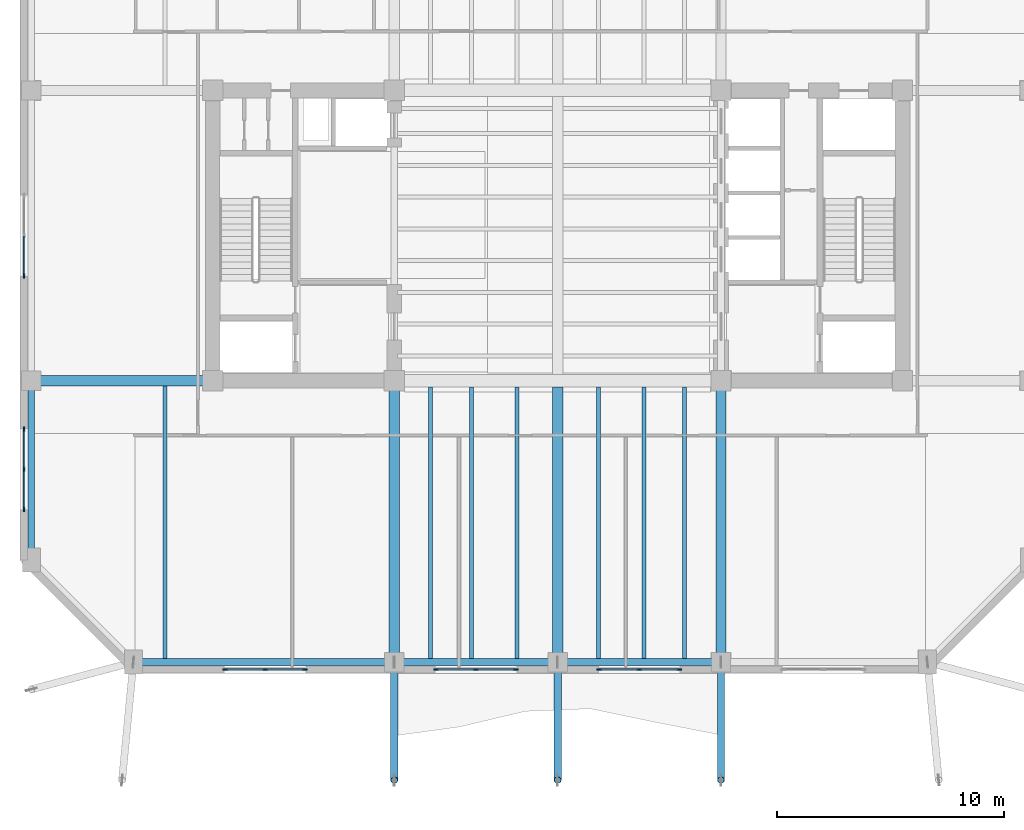
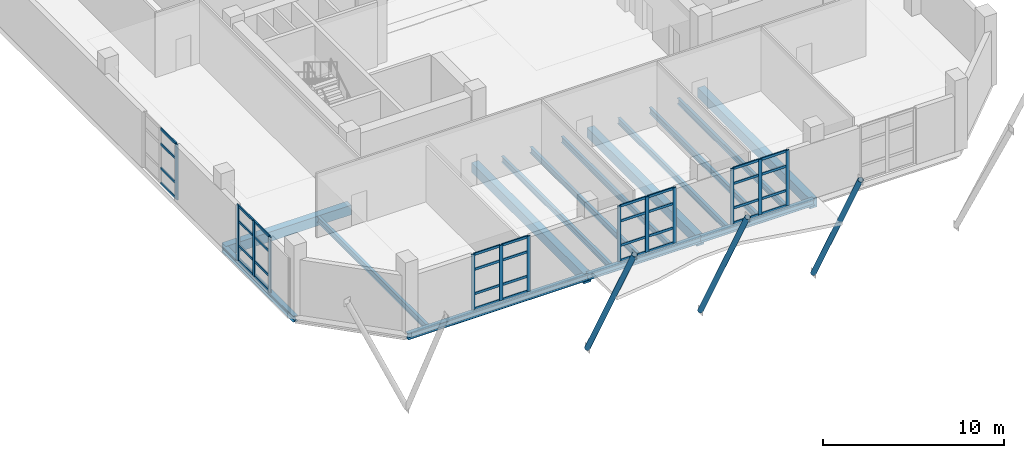
# One storey, part 2 of 15: 52 members, 15 beams, 5 elements without a shape of their own.
"""IFC4 building model written with IfcOpenShell, lengths in metres."""

import ifcopenshell
import ifcopenshell.guid

model = None  # the IFC model being written
_history = None  # IfcOwnerHistory: only IFC2X3 demands one
_inside = {}  # id of a spatial element -> (the spatial element, [elements in it])
_under = {}  # id of a project, library or spatial element -> (it, [spatial elements below it])
_declared = {}  # id of a project -> (the project, [libraries it declares])
_typed = {}  # id of a type object -> (the type object, [elements of that type])
_made_of = {}  # id of a material, layer set ... -> (it, [elements and type objects made of it])


def new_model(schema):
    """Start an empty IFC model of exactly this schema.

    Asked for "IFC4X3", IfcOpenShell would pick the latest addendum, in which some entities
    have other attributes; the version numbers below select the first issue.
    IFC2X3 requires an IfcOwnerHistory on every rooted entity: one is made here for all.
    """
    global model, _history
    if schema == "IFC4X3":
        model = ifcopenshell.file(schema_version=(4, 3, 0, 0))
    else:
        model = ifcopenshell.file(schema=schema)
    _inside.clear()
    _under.clear()
    _declared.clear()
    _typed.clear()
    _made_of.clear()
    _history = None
    if model.schema == "IFC2X3":
        org = make("IfcOrganization", Name="unknown")
        user = make(
            "IfcPersonAndOrganization",
            ThePerson=make("IfcPerson", FamilyName="unknown"),
            TheOrganization=org,
        )
        app = make(
            "IfcApplication",
            ApplicationDeveloper=org,
            Version="unknown",
            ApplicationFullName="unknown",
            ApplicationIdentifier="unknown",
        )
        _history = make(
            "IfcOwnerHistory",
            OwningUser=user,
            OwningApplication=app,
            ChangeAction="ADDED",
            CreationDate=0,
        )
    return model


def make(cls, **values):
    """One entity of the class cls with the attributes given. An attribute that is None is left unset."""
    return model.create_entity(
        cls, **{name: value for name, value in values.items() if value is not None}
    )


def rooted(cls, **values):
    """An entity with a GlobalId (a new one), such as an element, a storey or a relation."""
    return make(cls, GlobalId=ifcopenshell.guid.new(), OwnerHistory=_history, **values)


def si_unit(unit_type, name, prefix=None):
    """IfcSIUnit, for example si_unit("LENGTHUNIT", "METRE", prefix="MILLI")."""
    return make("IfcSIUnit", UnitType=unit_type, Prefix=prefix, Name=name)


def assignment(units):
    """IfcUnitAssignment: the units of a project."""
    return None if units is None else make("IfcUnitAssignment", Units=units)


def point(xyz):
    """IfcCartesianPoint."""
    return None if xyz is None else make("IfcCartesianPoint", Coordinates=xyz)


def direction(xyz):
    """IfcDirection."""
    return None if xyz is None else make("IfcDirection", DirectionRatios=xyz)


def frame(location, z_axis=None, x_axis=None):
    """IfcAxis2Placement3D, a coordinate frame: its origin and axes. An axis left out is left unset."""
    return make(
        "IfcAxis2Placement3D",
        Location=point(location),
        Axis=direction(z_axis),
        RefDirection=direction(x_axis),
    )


def frame_2d(location, x_axis=None):
    """IfcAxis2Placement2D, a coordinate frame in the plane: its origin and x axis."""
    return make(
        "IfcAxis2Placement2D", Location=point(location), RefDirection=direction(x_axis)
    )


def origin():
    """The frame at (0, 0, 0) with its axes left unset."""
    return frame((0.0, 0.0, 0.0))


def origin_2d():
    """The frame at (0, 0) in the plane with its x axis left unset."""
    return frame_2d((0.0, 0.0))


def place(relative_to, where):
    """IfcLocalPlacement: puts the frame where relative to a parent placement (None: the world)."""
    return make(
        "IfcLocalPlacement", PlacementRelTo=relative_to, RelativePlacement=where
    )


def context(
    kind, dimensions, precision=None, world=None, true_north=None, identifier=None
):
    """IfcGeometricRepresentationContext, for example the 3D "Model" context."""
    return make(
        "IfcGeometricRepresentationContext",
        ContextIdentifier=identifier,
        ContextType=kind,
        CoordinateSpaceDimension=dimensions,
        Precision=precision,
        WorldCoordinateSystem=world,
        TrueNorth=true_north,
    )


def subcontext(parent, identifier, kind, view, scale=None):
    """IfcGeometricRepresentationSubContext, for example "Body" below "Model"."""
    return make(
        "IfcGeometricRepresentationSubContext",
        ContextIdentifier=identifier,
        ContextType=kind,
        ParentContext=parent,
        TargetScale=scale,
        TargetView=view,
    )


def project(units=None, contexts=None):
    """IfcProject with its units and contexts."""
    return rooted(
        "IfcProject",
        Name="project",
        RepresentationContexts=contexts,
        UnitsInContext=assignment(units),
    )


def spatial(cls, under=None, at=None, **own):
    """A site, building, storey or space (cls), placed at a placement, below another one or the project."""
    s = rooted(cls, ObjectPlacement=at, **own)
    if under is not None:
        _under.setdefault(under.id(), (under, []))[1].append(s)
    return s


def profile(cls, at=None, kind="AREA", **sizes):
    """A parametric profile (cls). Its sizes go by their IFC names, for example OverallWidth=200.0."""
    return make(cls, ProfileType=kind, Position=at, **sizes)


def rectangle(**sizes):
    """IfcRectangleProfileDef."""
    return profile("IfcRectangleProfileDef", **sizes)


def hollow_circle(**sizes):
    """IfcCircleHollowProfileDef."""
    return profile("IfcCircleHollowProfileDef", **sizes)


def i_section(**sizes):
    """IfcIShapeProfileDef."""
    return profile("IfcIShapeProfileDef", **sizes)


def extrude(swept, where, along, depth):
    """IfcExtrudedAreaSolid: the profile swept, set in the frame where, extruded along a direction by depth."""
    return make(
        "IfcExtrudedAreaSolid",
        SweptArea=swept,
        Position=where,
        ExtrudedDirection=direction(along),
        Depth=depth,
    )


def shape(context_of_items, identifier, shape_type, items):
    """IfcShapeRepresentation: the items that make up one representation, for example the "Body"."""
    return make(
        "IfcShapeRepresentation",
        ContextOfItems=context_of_items,
        RepresentationIdentifier=identifier,
        RepresentationType=shape_type,
        Items=items,
    )


def material(Name=None, Category=None):
    """IfcMaterial."""
    return make("IfcMaterial", Name=Name, Category=Category)


def layer(
    of_material, thickness, ventilated=None, Name=None, Category=None, Priority=None
):
    """IfcMaterialLayer: one layer of a wall or slab, of a material (None: an air gap)."""
    return make(
        "IfcMaterialLayer",
        Material=of_material,
        LayerThickness=thickness,
        IsVentilated=ventilated,
        Name=Name,
        Category=Category,
        Priority=Priority,
    )


def layer_set(layers, Name=None):
    """IfcMaterialLayerSet."""
    return make("IfcMaterialLayerSet", MaterialLayers=layers, LayerSetName=Name)


def material_profile(
    of_material, cross_section, Name=None, Category=None, Priority=None
):
    """IfcMaterialProfile: a cross section and its material."""
    return make(
        "IfcMaterialProfile",
        Name=Name,
        Material=of_material,
        Profile=cross_section,
        Priority=Priority,
        Category=Category,
    )


def profile_set(profiles, Name=None, composite=None):
    """IfcMaterialProfileSet."""
    return make(
        "IfcMaterialProfileSet",
        Name=Name,
        MaterialProfiles=profiles,
        CompositeProfile=composite,
    )


def made_of(thing, what):
    """Note that an element or type object is made of a material, layer set ...; save() writes the relation."""
    if what is not None:
        _made_of.setdefault(what.id(), (what, []))[1].append(thing)
    return thing


def type_object(cls, material=None, **own):
    """A type object (cls), such as IfcWallType, which elements share."""
    return made_of(rooted(cls, **own), material)


def element(
    cls,
    number,
    at=None,
    inside=None,
    cuts=None,
    type_object=None,
    material=None,
    context=None,
    identifier="Body",
    shape_type=None,
    held_by="IfcProductDefinitionShape",
    body=None,
    shapes=None,
    **own,
):
    """One element of the class cls, such as IfcWall. Its Tag is "e" and its number.

    at: its placement. inside: the storey or other place that contains it. cuts: it is an
    opening in that element (IfcRelVoidsElement). A single representation is given by context,
    identifier, shape_type and body (its items); several are given by shapes. held_by: the class
    of the entity that holds the representations. save() writes the other relations.
    """
    e = rooted(cls, Tag="e%d" % number, ObjectPlacement=at, **own)
    if body is not None:
        shapes = [shape(context, identifier, shape_type, body)]
    if shapes is not None:
        e.Representation = make(held_by, Representations=shapes)
    if inside is not None:
        _inside.setdefault(inside.id(), (inside, []))[1].append(e)
    if cuts is not None:
        rooted(
            "IfcRelVoidsElement", RelatingBuildingElement=cuts, RelatedOpeningElement=e
        )
    if type_object is not None:
        _typed.setdefault(type_object.id(), (type_object, []))[1].append(e)
    return made_of(e, material)


def aggregate(whole, parts):
    """IfcRelAggregates: a whole, such as a stair, and the parts it consists of."""
    return rooted("IfcRelAggregates", RelatingObject=whole, RelatedObjects=parts)


def save(model, path):
    """Write the relations noted so far, then the file.

    IfcRelAggregates (storeys below a building ...), IfcRelContainedInSpatialStructure (elements
    in a storey), IfcRelDefinesByType, IfcRelAssociatesMaterial and IfcRelDeclares: one each for
    every whole, place, type object, material and project.
    """
    for whole, parts in _under.values():
        aggregate(whole, parts)
    for where, things in _inside.values():
        rooted(
            "IfcRelContainedInSpatialStructure",
            RelatedElements=things,
            RelatingStructure=where,
        )
    for kind, things in _typed.values():
        rooted("IfcRelDefinesByType", RelatedObjects=things, RelatingType=kind)
    for what, things in _made_of.values():
        rooted("IfcRelAssociatesMaterial", RelatedObjects=things, RelatingMaterial=what)
    for by, libraries in _declared.values():
        rooted("IfcRelDeclares", RelatingContext=by, RelatedDefinitions=libraries)
    model.write(path)


model = new_model("IFC4")

# Units and contexts
model_context = context("Model", 3, precision=1e-05, world=origin(), true_north=direction((0.0, 1.0)))
body_context = subcontext(model_context, "Body", "Model", "MODEL_VIEW")
ifc_project = project(units=[si_unit("LENGTHUNIT", "METRE"), si_unit("AREAUNIT", "SQUARE_METRE"), si_unit("VOLUMEUNIT", "CUBIC_METRE"), si_unit("PLANEANGLEUNIT", "RADIAN"), si_unit("MASSUNIT", "GRAM", prefix="KILO")], contexts=[model_context])

# Site, building, storey
site_placement = place(None, origin())
site = spatial("IfcSite", under=ifc_project, at=site_placement, CompositionType="ELEMENT")
building_placement = place(site_placement, origin())
building = spatial("IfcBuilding", under=site, at=building_placement, Name="Kranthara Brick Stack", CompositionType="ELEMENT")
storey_placement = place(building_placement, frame((0.0, 0.0, 202.699951171875)))
storey = spatial("IfcBuildingStorey", under=building, at=storey_placement, Name="L52", CompositionType="ELEMENT", Elevation=202.699951171875)

# Beams
ifc_material_1 = material(Name="Post-tensioned concrete C45/55", Category="concrete")
ifc_material_profile_1 = material_profile(ifc_material_1, rectangle(XDim=0.449951171875, YDim=0.64990234375, at=origin_2d()), Name="PT 450x650")
ifc_profile_set_1 = profile_set([ifc_material_profile_1], Name="Post-tensioned concrete C45/55")
beam_type_1 = type_object("IfcBeamType", Name="BM-FLR-PT650", PredefinedType="BEAM", material=ifc_profile_set_1)
beam_1_placement = place(storey_placement, frame((20.800048828125, 8.39990234375, -0.68505859375), z_axis=(0.0, 1.0, 0.0), x_axis=(-1.0, 0.0, 0.0)))
element("IfcBeam", 1, at=beam_1_placement, inside=storey, type_object=beam_type_1, Name="L52 Primary Grid Girder 023", PredefinedType="BEAM", context=body_context, shape_type="SweptSolid", body=[
    extrude(rectangle(XDim=0.449951171875, YDim=0.64990234375, at=origin_2d()), origin(), (0.0, 0.0, 1.0), 12.400146484375),
])
beam_2_placement = place(storey_placement, frame((28.0, 8.39990234375, -0.68505859375), z_axis=(0.0, 1.0, 0.0), x_axis=(-1.0, 0.0, 0.0)))
element("IfcBeam", 2, at=beam_2_placement, inside=storey, type_object=beam_type_1, Name="L52 Primary Grid Girder 025", PredefinedType="BEAM", context=body_context, shape_type="SweptSolid", body=[
    extrude(rectangle(XDim=0.449951171875, YDim=0.64990234375, at=origin_2d()), origin(), (0.0, 0.0, 1.0), 12.125),
])
beam_3_placement = place(storey_placement, frame((35.199951171875, 8.39990234375, -0.68505859375), z_axis=(0.0, 1.0, 0.0), x_axis=(-1.0, 0.0, 0.0)))
element("IfcBeam", 3, at=beam_3_placement, inside=storey, type_object=beam_type_1, Name="L52 Primary Grid Girder 028", PredefinedType="BEAM", context=body_context, shape_type="SweptSolid", body=[
    extrude(rectangle(XDim=0.449951171875, YDim=0.64990234375, at=origin_2d()), origin(), (0.0, 0.0, 1.0), 12.400146484375),
])
beam_4_placement = place(storey_placement, frame((4.800048828125, 20.800048828125, -0.68505859375), z_axis=(1.0, 0.0, 0.0), x_axis=(0.0, 1.0, 0.0)))
element("IfcBeam", 4, at=beam_4_placement, inside=storey, type_object=beam_type_1, Name="L52 Primary Grid Girder 030", PredefinedType="BEAM", context=body_context, shape_type="SweptSolid", body=[
    extrude(rectangle(XDim=0.449951171875, YDim=0.64990234375, at=origin_2d()), origin(), (0.0, 0.0, 1.0), 8.0),
])
ifc_material_2 = material(Name="Steel S355", Category="steel")
ifc_material_profile_2 = material_profile(ifc_material_2, i_section(OverallWidth=0.179931640625, OverallDepth=0.39990234375, WebThickness=0.008544921875, FlangeThickness=0.013427734375, at=origin_2d()), Name="IPE 400")
ifc_profile_set_2 = profile_set([ifc_material_profile_2], Name="Steel S355")
beam_type_2 = type_object("IfcBeamType", Name="BM-JST-IPE400", PredefinedType="JOIST", material=ifc_profile_set_2)
beam_5_placement = place(storey_placement, frame((10.699951171875, 8.550048828125, -0.56005859375), z_axis=(0.0, 1.0, 0.0), x_axis=(-1.0, 0.0, 0.0)))
element("IfcBeam", 5, at=beam_5_placement, inside=storey, type_object=beam_type_2, Name="L52 South Wing Floor Joist 052", PredefinedType="JOIST", context=body_context, shape_type="SweptSolid", body=[
    extrude(i_section(OverallWidth=0.179931640625, OverallDepth=0.39990234375, WebThickness=0.008544921875, FlangeThickness=0.013427734375, at=origin_2d()), origin(), (0.0, 0.0, 1.0), 12.02490234375),
])
for number, where, z_axis, x_axis, name in (
    (6, (22.39990234375, 8.550048828125, -0.56005859375), (0.0, 1.0, 0.0), (-1.0, 0.0, 0.0), "L52 South Wing Floor Joist 054"),
    (7, (24.199951171875, 8.550048828125, -0.56005859375), (0.0, 1.0, 0.0), (-1.0, 0.0, 0.0), "L52 South Wing Floor Joist 056"),
    (8, (26.199951171875, 8.550048828125, -0.56005859375), (0.0, 1.0, 0.0), (-1.0, 0.0, 0.0), "L52 South Wing Floor Joist 058"),
    (9, (29.800048828125, 8.550048828125, -0.56005859375), (0.0, 1.0, 0.0), (-1.0, 0.0, 0.0), "L52 South Wing Floor Joist 060"),
    (10, (31.800048828125, 8.550048828125, -0.56005859375), (0.0, 1.0, 0.0), (-1.0, 0.0, 0.0), "L52 South Wing Floor Joist 062"),
    (11, (33.60009765625, 8.550048828125, -0.56005859375), (0.0, 1.0, 0.0), (-1.0, 0.0, 0.0), "L52 South Wing Floor Joist 064"),
):
    element("IfcBeam", number, at=place(storey_placement, frame(where, z_axis=z_axis, x_axis=x_axis)), inside=storey, type_object=beam_type_2, Name=name, PredefinedType="JOIST", context=body_context, shape_type="SweptSolid", body=[
        extrude(i_section(OverallWidth=0.179931640625, OverallDepth=0.39990234375, WebThickness=0.008544921875, FlangeThickness=0.013427734375, at=origin_2d()), origin(), (0.0, 0.0, 1.0), 11.974853515625),
    ])
ifc_material_3 = material(Name="Steel S355", Category="steel")
ifc_material_profile_3 = material_profile(ifc_material_3, i_section(OverallWidth=0.300048828125, OverallDepth=0.39990234375, WebThickness=0.013427734375, FlangeThickness=0.02392578125, at=origin_2d()), Name="HEB 400")
ifc_profile_set_3 = profile_set([ifc_material_profile_3], Name="Steel S355")
beam_type_3 = type_object("IfcBeamType", Name="BM-STL-HEB400", PredefinedType="SPANDREL", material=ifc_profile_set_3)
beam_6_placement = place(storey_placement, frame((9.300048828125, 8.39990234375, -0.56005859375), z_axis=(1.0, 0.0, 0.0), x_axis=(0.0, 1.0, 0.0)))
element("IfcBeam", 12, at=beam_6_placement, inside=storey, type_object=beam_type_3, Name="L52 Perimeter Spandrel Beam 005", PredefinedType="SPANDREL", context=body_context, shape_type="SweptSolid", body=[
    extrude(i_section(OverallWidth=0.300048828125, OverallDepth=0.39990234375, WebThickness=0.013427734375, FlangeThickness=0.02392578125, at=origin_2d()), origin(), (0.0, 0.0, 1.0), 11.5),
])
for number, where, z_axis, x_axis, name in (
    (13, (20.800048828125, 8.39990234375, -0.56005859375), (1.0, 0.0, 0.0), (0.0, 1.0, 0.0), "L52 Perimeter Spandrel Beam 006"),
    (14, (28.0, 8.39990234375, -0.56005859375), (1.0, 0.0, 0.0), (0.0, 1.0, 0.0), "L52 Perimeter Spandrel Beam 007"),
):
    element("IfcBeam", number, at=place(storey_placement, frame(where, z_axis=z_axis, x_axis=x_axis)), inside=storey, type_object=beam_type_3, Name=name, PredefinedType="SPANDREL", context=body_context, shape_type="SweptSolid", body=[
        extrude(i_section(OverallWidth=0.300048828125, OverallDepth=0.39990234375, WebThickness=0.013427734375, FlangeThickness=0.02392578125, at=origin_2d()), origin(), (0.0, 0.0, 1.0), 7.199951171875),
    ])
beam_7_placement = place(storey_placement, frame((4.800048828125, 12.89990234375, -0.56005859375), z_axis=(0.0, 1.0, 0.0), x_axis=(-1.0, 0.0, 0.0)))
element("IfcBeam", 15, at=beam_7_placement, inside=storey, type_object=beam_type_3, Name="L52 Perimeter Spandrel Beam 013", PredefinedType="SPANDREL", context=body_context, shape_type="SweptSolid", body=[
    extrude(i_section(OverallWidth=0.300048828125, OverallDepth=0.39990234375, WebThickness=0.013427734375, FlangeThickness=0.02392578125, at=origin_2d()), origin(), (0.0, 0.0, 1.0), 7.900146484375),
])

# Curtain wall, members
ifc_material_4 = material(Name="Bronze anodised aluminium and low-E glass", Category="aluminium")
ifc_layer = layer(ifc_material_4, 0.199951171875)
ifc_layer_set = layer_set([ifc_layer], Name="Bronze anodised aluminium and low-E glass")
curtain_wall_type = type_object("IfcCurtainWallType", Name="CW-SYS4-SKYLOBBY2", PredefinedType="USERDEFINED", material=ifc_layer_set)
curtain_wall_1_placement = place(storey_placement, origin())
curtain_wall_1 = element("IfcCurtainWall", 16, at=curtain_wall_1_placement, inside=storey, type_object=curtain_wall_type, Name="L52 Curtain Wall CW4-L52-02", ObjectType="UNITISED CURTAIN WALL", PredefinedType="USERDEFINED")
ifc_material_5 = material(Name="Bronze anodised aluminium 6063-T6", Category="aluminium")
ifc_material_profile_4 = material_profile(ifc_material_5, rectangle(XDim=0.074951171875, YDim=0.219970703125, at=origin_2d()), Name="ALU MULLION 75x220")
ifc_profile_set_4 = profile_set([ifc_material_profile_4], Name="Bronze anodised aluminium 6063-T6")
member_type_1 = type_object("IfcMemberType", Name="CWM-75x220", PredefinedType="MULLION", material=ifc_profile_set_4)
member_1_placement = place(storey_placement, frame((33.362548828125, 8.080078125, 0.0), z_axis=(0.0, 0.0, 1.0), x_axis=(0.0, -1.0, 0.0)))
member_1 = element("IfcMember", 17, at=member_1_placement, type_object=member_type_1, Name="CW mullion 1", PredefinedType="MULLION", context=body_context, shape_type="SweptSolid", body=[
    extrude(rectangle(XDim=0.074951171875, YDim=0.219970703125, at=origin_2d()), origin(), (0.0, 0.0, 1.0), 3.735107421875),
])
member_2_placement = place(storey_placement, frame((31.60009765625, 8.080078125, 0.0), z_axis=(0.0, 0.0, 1.0), x_axis=(0.0, -1.0, 0.0)))
member_2 = element("IfcMember", 18, at=member_2_placement, type_object=member_type_1, Name="CW mullion 2", PredefinedType="MULLION", context=body_context, shape_type="SweptSolid", body=[
    extrude(rectangle(XDim=0.074951171875, YDim=0.219970703125, at=origin_2d()), origin(), (0.0, 0.0, 1.0), 3.735107421875),
])
member_3_placement = place(storey_placement, frame((29.83740234375, 8.080078125, 0.0), z_axis=(0.0, 0.0, 1.0), x_axis=(0.0, -1.0, 0.0)))
member_3 = element("IfcMember", 19, at=member_3_placement, type_object=member_type_1, Name="CW mullion 3", PredefinedType="MULLION", context=body_context, shape_type="SweptSolid", body=[
    extrude(rectangle(XDim=0.074951171875, YDim=0.219970703125, at=origin_2d()), origin(), (0.0, 0.0, 1.0), 3.735107421875),
])

curtain_wall_2_placement = place(storey_placement, origin())
curtain_wall_2 = element("IfcCurtainWall", 20, at=curtain_wall_2_placement, inside=storey, type_object=curtain_wall_type, Name="L52 Curtain Wall CW4-L52-03", ObjectType="UNITISED CURTAIN WALL", PredefinedType="USERDEFINED")
member_4_placement = place(storey_placement, frame((26.16259765625, 8.080078125, 0.0), z_axis=(0.0, 0.0, 1.0), x_axis=(0.0, -1.0, 0.0)))
member_4 = element("IfcMember", 21, at=member_4_placement, type_object=member_type_1, Name="CW mullion 1", PredefinedType="MULLION", context=body_context, shape_type="SweptSolid", body=[
    extrude(rectangle(XDim=0.074951171875, YDim=0.219970703125, at=origin_2d()), origin(), (0.0, 0.0, 1.0), 3.735107421875),
])
member_5_placement = place(storey_placement, frame((24.39990234375, 8.080078125, 0.0), z_axis=(0.0, 0.0, 1.0), x_axis=(0.0, -1.0, 0.0)))
member_5 = element("IfcMember", 22, at=member_5_placement, type_object=member_type_1, Name="CW mullion 2", PredefinedType="MULLION", context=body_context, shape_type="SweptSolid", body=[
    extrude(rectangle(XDim=0.074951171875, YDim=0.219970703125, at=origin_2d()), origin(), (0.0, 0.0, 1.0), 3.735107421875),
])
member_6_placement = place(storey_placement, frame((22.637451171875, 8.080078125, 0.0), z_axis=(0.0, 0.0, 1.0), x_axis=(0.0, -1.0, 0.0)))
member_6 = element("IfcMember", 23, at=member_6_placement, type_object=member_type_1, Name="CW mullion 3", PredefinedType="MULLION", context=body_context, shape_type="SweptSolid", body=[
    extrude(rectangle(XDim=0.074951171875, YDim=0.219970703125, at=origin_2d()), origin(), (0.0, 0.0, 1.0), 3.735107421875),
])

curtain_wall_3_placement = place(storey_placement, origin())
curtain_wall_3 = element("IfcCurtainWall", 24, at=curtain_wall_3_placement, inside=storey, type_object=curtain_wall_type, Name="L52 Curtain Wall CW4-L52-04", ObjectType="UNITISED CURTAIN WALL", PredefinedType="USERDEFINED")
member_7_placement = place(storey_placement, frame((16.862548828125, 8.080078125, 0.0), z_axis=(0.0, 0.0, 1.0), x_axis=(0.0, -1.0, 0.0)))
member_7 = element("IfcMember", 25, at=member_7_placement, type_object=member_type_1, Name="CW mullion 1", PredefinedType="MULLION", context=body_context, shape_type="SweptSolid", body=[
    extrude(rectangle(XDim=0.074951171875, YDim=0.219970703125, at=origin_2d()), origin(), (0.0, 0.0, 1.0), 3.735107421875),
])
member_8_placement = place(storey_placement, frame((15.10009765625, 8.080078125, 0.0), z_axis=(0.0, 0.0, 1.0), x_axis=(0.0, -1.0, 0.0)))
member_8 = element("IfcMember", 26, at=member_8_placement, type_object=member_type_1, Name="CW mullion 2", PredefinedType="MULLION", context=body_context, shape_type="SweptSolid", body=[
    extrude(rectangle(XDim=0.074951171875, YDim=0.219970703125, at=origin_2d()), origin(), (0.0, 0.0, 1.0), 3.735107421875),
])
member_9_placement = place(storey_placement, frame((13.33740234375, 8.080078125, 0.0), z_axis=(0.0, 0.0, 1.0), x_axis=(0.0, -1.0, 0.0)))
member_9 = element("IfcMember", 27, at=member_9_placement, type_object=member_type_1, Name="CW mullion 3", PredefinedType="MULLION", context=body_context, shape_type="SweptSolid", body=[
    extrude(rectangle(XDim=0.074951171875, YDim=0.219970703125, at=origin_2d()), origin(), (0.0, 0.0, 1.0), 3.735107421875),
])

curtain_wall_4_placement = place(storey_placement, origin())
curtain_wall_4 = element("IfcCurtainWall", 28, at=curtain_wall_4_placement, inside=storey, type_object=curtain_wall_type, Name="L52 Curtain Wall CW4-L52-05", ObjectType="UNITISED CURTAIN WALL", PredefinedType="USERDEFINED")
member_10_placement = place(storey_placement, frame((4.47998046875, 15.137451171875, 0.0), z_axis=(0.0, 0.0, 1.0), x_axis=(-1.0, 0.0, 0.0)))
member_10 = element("IfcMember", 29, at=member_10_placement, type_object=member_type_1, Name="CW mullion 1", PredefinedType="MULLION", context=body_context, shape_type="SweptSolid", body=[
    extrude(rectangle(XDim=0.074951171875, YDim=0.219970703125, at=origin_2d()), origin(), (0.0, 0.0, 1.0), 3.735107421875),
])
member_11_placement = place(storey_placement, frame((4.47998046875, 16.89990234375, 0.0), z_axis=(0.0, 0.0, 1.0), x_axis=(-1.0, 0.0, 0.0)))
member_11 = element("IfcMember", 30, at=member_11_placement, type_object=member_type_1, Name="CW mullion 2", PredefinedType="MULLION", context=body_context, shape_type="SweptSolid", body=[
    extrude(rectangle(XDim=0.074951171875, YDim=0.219970703125, at=origin_2d()), origin(), (0.0, 0.0, 1.0), 3.735107421875),
])
member_12_placement = place(storey_placement, frame((4.47998046875, 18.66259765625, 0.0), z_axis=(0.0, 0.0, 1.0), x_axis=(-1.0, 0.0, 0.0)))
member_12 = element("IfcMember", 31, at=member_12_placement, type_object=member_type_1, Name="CW mullion 3", PredefinedType="MULLION", context=body_context, shape_type="SweptSolid", body=[
    extrude(rectangle(XDim=0.074951171875, YDim=0.219970703125, at=origin_2d()), origin(), (0.0, 0.0, 1.0), 3.735107421875),
])

# Curtain wall, member
curtain_wall_5_placement = place(storey_placement, origin())
curtain_wall_5 = element("IfcCurtainWall", 32, at=curtain_wall_5_placement, inside=storey, type_object=curtain_wall_type, Name="L52 Curtain Wall CW4-L52-06", ObjectType="UNITISED CURTAIN WALL", PredefinedType="USERDEFINED")
member_13_placement = place(storey_placement, frame((4.47998046875, 25.4375, 0.0), z_axis=(0.0, 0.0, 1.0), x_axis=(-1.0, 0.0, 0.0)))
member_13 = element("IfcMember", 33, at=member_13_placement, type_object=member_type_1, Name="CW mullion 1", PredefinedType="MULLION", context=body_context, shape_type="SweptSolid", body=[
    extrude(rectangle(XDim=0.074951171875, YDim=0.219970703125, at=origin_2d()), origin(), (0.0, 0.0, 1.0), 3.735107421875),
])

# Member
ifc_material_6 = material(Name="Bronze anodised aluminium 6063-T6", Category="aluminium")
ifc_material_profile_5 = material_profile(ifc_material_6, rectangle(XDim=0.074951171875, YDim=0.1650390625, at=origin_2d()), Name="ALU TRANSOM 75x165")
ifc_profile_set_5 = profile_set([ifc_material_profile_5], Name="Bronze anodised aluminium 6063-T6")
member_type_2 = type_object("IfcMemberType", Name="CWT-75x165", PredefinedType="USERDEFINED", material=ifc_profile_set_5)
member_14_placement = place(storey_placement, frame((33.324951171875, 8.080078125, 0.03759765625), z_axis=(-1.0, 0.0, 0.0), x_axis=(0.0, -1.0, 0.0)))
member_14 = element("IfcMember", 34, at=member_14_placement, type_object=member_type_2, Name="CW transom 1.1", ObjectType="TRANSOM", PredefinedType="USERDEFINED", context=body_context, shape_type="SweptSolid", body=[
    extrude(rectangle(XDim=0.074951171875, YDim=0.1650390625, at=origin_2d()), origin(), (0.0, 0.0, 1.0), 1.6875),
])

member_15_placement = place(storey_placement, frame((33.324951171875, 8.080078125, 1.0458984375), z_axis=(-1.0, 0.0, 0.0), x_axis=(0.0, -1.0, 0.0)))
member_15 = element("IfcMember", 35, at=member_15_placement, type_object=member_type_2, Name="CW transom 1.2", ObjectType="TRANSOM", PredefinedType="USERDEFINED", context=body_context, shape_type="SweptSolid", body=[
    extrude(rectangle(XDim=0.074951171875, YDim=0.1650390625, at=origin_2d()), origin(), (0.0, 0.0, 1.0), 1.6875),
])

member_16_placement = place(storey_placement, frame((33.324951171875, 8.080078125, 2.689208984375), z_axis=(-1.0, 0.0, 0.0), x_axis=(0.0, -1.0, 0.0)))
member_16 = element("IfcMember", 36, at=member_16_placement, type_object=member_type_2, Name="CW transom 1.3", ObjectType="TRANSOM", PredefinedType="USERDEFINED", context=body_context, shape_type="SweptSolid", body=[
    extrude(rectangle(XDim=0.074951171875, YDim=0.1650390625, at=origin_2d()), origin(), (0.0, 0.0, 1.0), 1.6875),
])

member_17_placement = place(storey_placement, frame((33.324951171875, 8.080078125, 3.697509765625), z_axis=(-1.0, 0.0, 0.0), x_axis=(0.0, -1.0, 0.0)))
member_17 = element("IfcMember", 37, at=member_17_placement, type_object=member_type_2, Name="CW transom 1.4", ObjectType="TRANSOM", PredefinedType="USERDEFINED", context=body_context, shape_type="SweptSolid", body=[
    extrude(rectangle(XDim=0.074951171875, YDim=0.1650390625, at=origin_2d()), origin(), (0.0, 0.0, 1.0), 1.6875),
])

member_18_placement = place(storey_placement, frame((31.5625, 8.080078125, 0.03759765625), z_axis=(-1.0, 0.0, 0.0), x_axis=(0.0, -1.0, 0.0)))
member_18 = element("IfcMember", 38, at=member_18_placement, type_object=member_type_2, Name="CW transom 2.1", ObjectType="TRANSOM", PredefinedType="USERDEFINED", context=body_context, shape_type="SweptSolid", body=[
    extrude(rectangle(XDim=0.074951171875, YDim=0.1650390625, at=origin_2d()), origin(), (0.0, 0.0, 1.0), 1.6875),
])

member_19_placement = place(storey_placement, frame((31.5625, 8.080078125, 1.0458984375), z_axis=(-1.0, 0.0, 0.0), x_axis=(0.0, -1.0, 0.0)))
member_19 = element("IfcMember", 39, at=member_19_placement, type_object=member_type_2, Name="CW transom 2.2", ObjectType="TRANSOM", PredefinedType="USERDEFINED", context=body_context, shape_type="SweptSolid", body=[
    extrude(rectangle(XDim=0.074951171875, YDim=0.1650390625, at=origin_2d()), origin(), (0.0, 0.0, 1.0), 1.6875),
])

member_20_placement = place(storey_placement, frame((31.5625, 8.080078125, 2.689208984375), z_axis=(-1.0, 0.0, 0.0), x_axis=(0.0, -1.0, 0.0)))
member_20 = element("IfcMember", 40, at=member_20_placement, type_object=member_type_2, Name="CW transom 2.3", ObjectType="TRANSOM", PredefinedType="USERDEFINED", context=body_context, shape_type="SweptSolid", body=[
    extrude(rectangle(XDim=0.074951171875, YDim=0.1650390625, at=origin_2d()), origin(), (0.0, 0.0, 1.0), 1.6875),
])

member_21_placement = place(storey_placement, frame((31.5625, 8.080078125, 3.697509765625), z_axis=(-1.0, 0.0, 0.0), x_axis=(0.0, -1.0, 0.0)))
member_21 = element("IfcMember", 41, at=member_21_placement, type_object=member_type_2, Name="CW transom 2.4", ObjectType="TRANSOM", PredefinedType="USERDEFINED", context=body_context, shape_type="SweptSolid", body=[
    extrude(rectangle(XDim=0.074951171875, YDim=0.1650390625, at=origin_2d()), origin(), (0.0, 0.0, 1.0), 1.6875),
])

aggregate(curtain_wall_1, [member_1, member_2, member_3, member_14, member_15, member_16, member_17, member_18, member_19, member_20, member_21])

member_22_placement = place(storey_placement, frame((26.125, 8.080078125, 0.03759765625), z_axis=(-1.0, 0.0, 0.0), x_axis=(0.0, -1.0, 0.0)))
member_22 = element("IfcMember", 42, at=member_22_placement, type_object=member_type_2, Name="CW transom 1.1", ObjectType="TRANSOM", PredefinedType="USERDEFINED", context=body_context, shape_type="SweptSolid", body=[
    extrude(rectangle(XDim=0.074951171875, YDim=0.1650390625, at=origin_2d()), origin(), (0.0, 0.0, 1.0), 1.6875),
])

member_23_placement = place(storey_placement, frame((26.125, 8.080078125, 1.0458984375), z_axis=(-1.0, 0.0, 0.0), x_axis=(0.0, -1.0, 0.0)))
member_23 = element("IfcMember", 43, at=member_23_placement, type_object=member_type_2, Name="CW transom 1.2", ObjectType="TRANSOM", PredefinedType="USERDEFINED", context=body_context, shape_type="SweptSolid", body=[
    extrude(rectangle(XDim=0.074951171875, YDim=0.1650390625, at=origin_2d()), origin(), (0.0, 0.0, 1.0), 1.6875),
])

member_24_placement = place(storey_placement, frame((26.125, 8.080078125, 2.689208984375), z_axis=(-1.0, 0.0, 0.0), x_axis=(0.0, -1.0, 0.0)))
member_24 = element("IfcMember", 44, at=member_24_placement, type_object=member_type_2, Name="CW transom 1.3", ObjectType="TRANSOM", PredefinedType="USERDEFINED", context=body_context, shape_type="SweptSolid", body=[
    extrude(rectangle(XDim=0.074951171875, YDim=0.1650390625, at=origin_2d()), origin(), (0.0, 0.0, 1.0), 1.6875),
])

member_25_placement = place(storey_placement, frame((26.125, 8.080078125, 3.697509765625), z_axis=(-1.0, 0.0, 0.0), x_axis=(0.0, -1.0, 0.0)))
member_25 = element("IfcMember", 45, at=member_25_placement, type_object=member_type_2, Name="CW transom 1.4", ObjectType="TRANSOM", PredefinedType="USERDEFINED", context=body_context, shape_type="SweptSolid", body=[
    extrude(rectangle(XDim=0.074951171875, YDim=0.1650390625, at=origin_2d()), origin(), (0.0, 0.0, 1.0), 1.6875),
])

member_26_placement = place(storey_placement, frame((24.362548828125, 8.080078125, 0.03759765625), z_axis=(-1.0, 0.0, 0.0), x_axis=(0.0, -1.0, 0.0)))
member_26 = element("IfcMember", 46, at=member_26_placement, type_object=member_type_2, Name="CW transom 2.1", ObjectType="TRANSOM", PredefinedType="USERDEFINED", context=body_context, shape_type="SweptSolid", body=[
    extrude(rectangle(XDim=0.074951171875, YDim=0.1650390625, at=origin_2d()), origin(), (0.0, 0.0, 1.0), 1.6875),
])

member_27_placement = place(storey_placement, frame((24.362548828125, 8.080078125, 1.0458984375), z_axis=(-1.0, 0.0, 0.0), x_axis=(0.0, -1.0, 0.0)))
member_27 = element("IfcMember", 47, at=member_27_placement, type_object=member_type_2, Name="CW transom 2.2", ObjectType="TRANSOM", PredefinedType="USERDEFINED", context=body_context, shape_type="SweptSolid", body=[
    extrude(rectangle(XDim=0.074951171875, YDim=0.1650390625, at=origin_2d()), origin(), (0.0, 0.0, 1.0), 1.6875),
])

member_28_placement = place(storey_placement, frame((24.362548828125, 8.080078125, 2.689208984375), z_axis=(-1.0, 0.0, 0.0), x_axis=(0.0, -1.0, 0.0)))
member_28 = element("IfcMember", 48, at=member_28_placement, type_object=member_type_2, Name="CW transom 2.3", ObjectType="TRANSOM", PredefinedType="USERDEFINED", context=body_context, shape_type="SweptSolid", body=[
    extrude(rectangle(XDim=0.074951171875, YDim=0.1650390625, at=origin_2d()), origin(), (0.0, 0.0, 1.0), 1.6875),
])

member_29_placement = place(storey_placement, frame((24.362548828125, 8.080078125, 3.697509765625), z_axis=(-1.0, 0.0, 0.0), x_axis=(0.0, -1.0, 0.0)))
member_29 = element("IfcMember", 49, at=member_29_placement, type_object=member_type_2, Name="CW transom 2.4", ObjectType="TRANSOM", PredefinedType="USERDEFINED", context=body_context, shape_type="SweptSolid", body=[
    extrude(rectangle(XDim=0.074951171875, YDim=0.1650390625, at=origin_2d()), origin(), (0.0, 0.0, 1.0), 1.6875),
])

aggregate(curtain_wall_2, [member_4, member_5, member_6, member_22, member_23, member_24, member_25, member_26, member_27, member_28, member_29])

member_30_placement = place(storey_placement, frame((16.824951171875, 8.080078125, 0.03759765625), z_axis=(-1.0, 0.0, 0.0), x_axis=(0.0, -1.0, 0.0)))
member_30 = element("IfcMember", 50, at=member_30_placement, type_object=member_type_2, Name="CW transom 1.1", ObjectType="TRANSOM", PredefinedType="USERDEFINED", context=body_context, shape_type="SweptSolid", body=[
    extrude(rectangle(XDim=0.074951171875, YDim=0.1650390625, at=origin_2d()), origin(), (0.0, 0.0, 1.0), 1.6875),
])

member_31_placement = place(storey_placement, frame((16.824951171875, 8.080078125, 1.0458984375), z_axis=(-1.0, 0.0, 0.0), x_axis=(0.0, -1.0, 0.0)))
member_31 = element("IfcMember", 51, at=member_31_placement, type_object=member_type_2, Name="CW transom 1.2", ObjectType="TRANSOM", PredefinedType="USERDEFINED", context=body_context, shape_type="SweptSolid", body=[
    extrude(rectangle(XDim=0.074951171875, YDim=0.1650390625, at=origin_2d()), origin(), (0.0, 0.0, 1.0), 1.6875),
])

member_32_placement = place(storey_placement, frame((16.824951171875, 8.080078125, 2.689208984375), z_axis=(-1.0, 0.0, 0.0), x_axis=(0.0, -1.0, 0.0)))
member_32 = element("IfcMember", 52, at=member_32_placement, type_object=member_type_2, Name="CW transom 1.3", ObjectType="TRANSOM", PredefinedType="USERDEFINED", context=body_context, shape_type="SweptSolid", body=[
    extrude(rectangle(XDim=0.074951171875, YDim=0.1650390625, at=origin_2d()), origin(), (0.0, 0.0, 1.0), 1.6875),
])

member_33_placement = place(storey_placement, frame((16.824951171875, 8.080078125, 3.697509765625), z_axis=(-1.0, 0.0, 0.0), x_axis=(0.0, -1.0, 0.0)))
member_33 = element("IfcMember", 53, at=member_33_placement, type_object=member_type_2, Name="CW transom 1.4", ObjectType="TRANSOM", PredefinedType="USERDEFINED", context=body_context, shape_type="SweptSolid", body=[
    extrude(rectangle(XDim=0.074951171875, YDim=0.1650390625, at=origin_2d()), origin(), (0.0, 0.0, 1.0), 1.6875),
])

member_34_placement = place(storey_placement, frame((15.0625, 8.080078125, 0.03759765625), z_axis=(-1.0, 0.0, 0.0), x_axis=(0.0, -1.0, 0.0)))
member_34 = element("IfcMember", 54, at=member_34_placement, type_object=member_type_2, Name="CW transom 2.1", ObjectType="TRANSOM", PredefinedType="USERDEFINED", context=body_context, shape_type="SweptSolid", body=[
    extrude(rectangle(XDim=0.074951171875, YDim=0.1650390625, at=origin_2d()), origin(), (0.0, 0.0, 1.0), 1.6875),
])

member_35_placement = place(storey_placement, frame((15.0625, 8.080078125, 1.0458984375), z_axis=(-1.0, 0.0, 0.0), x_axis=(0.0, -1.0, 0.0)))
member_35 = element("IfcMember", 55, at=member_35_placement, type_object=member_type_2, Name="CW transom 2.2", ObjectType="TRANSOM", PredefinedType="USERDEFINED", context=body_context, shape_type="SweptSolid", body=[
    extrude(rectangle(XDim=0.074951171875, YDim=0.1650390625, at=origin_2d()), origin(), (0.0, 0.0, 1.0), 1.6875),
])

member_36_placement = place(storey_placement, frame((15.0625, 8.080078125, 2.689208984375), z_axis=(-1.0, 0.0, 0.0), x_axis=(0.0, -1.0, 0.0)))
member_36 = element("IfcMember", 56, at=member_36_placement, type_object=member_type_2, Name="CW transom 2.3", ObjectType="TRANSOM", PredefinedType="USERDEFINED", context=body_context, shape_type="SweptSolid", body=[
    extrude(rectangle(XDim=0.074951171875, YDim=0.1650390625, at=origin_2d()), origin(), (0.0, 0.0, 1.0), 1.6875),
])

member_37_placement = place(storey_placement, frame((15.0625, 8.080078125, 3.697509765625), z_axis=(-1.0, 0.0, 0.0), x_axis=(0.0, -1.0, 0.0)))
member_37 = element("IfcMember", 57, at=member_37_placement, type_object=member_type_2, Name="CW transom 2.4", ObjectType="TRANSOM", PredefinedType="USERDEFINED", context=body_context, shape_type="SweptSolid", body=[
    extrude(rectangle(XDim=0.074951171875, YDim=0.1650390625, at=origin_2d()), origin(), (0.0, 0.0, 1.0), 1.6875),
])

aggregate(curtain_wall_3, [member_7, member_8, member_9, member_30, member_31, member_32, member_33, member_34, member_35, member_36, member_37])

member_38_placement = place(storey_placement, frame((4.47998046875, 15.175048828125, 0.03759765625), z_axis=(0.0, 1.0, 0.0), x_axis=(-1.0, 0.0, 0.0)))
member_38 = element("IfcMember", 58, at=member_38_placement, type_object=member_type_2, Name="CW transom 1.1", ObjectType="TRANSOM", PredefinedType="USERDEFINED", context=body_context, shape_type="SweptSolid", body=[
    extrude(rectangle(XDim=0.074951171875, YDim=0.1650390625, at=origin_2d()), origin(), (0.0, 0.0, 1.0), 1.6875),
])

member_39_placement = place(storey_placement, frame((4.47998046875, 15.175048828125, 1.0458984375), z_axis=(0.0, 1.0, 0.0), x_axis=(-1.0, 0.0, 0.0)))
member_39 = element("IfcMember", 59, at=member_39_placement, type_object=member_type_2, Name="CW transom 1.2", ObjectType="TRANSOM", PredefinedType="USERDEFINED", context=body_context, shape_type="SweptSolid", body=[
    extrude(rectangle(XDim=0.074951171875, YDim=0.1650390625, at=origin_2d()), origin(), (0.0, 0.0, 1.0), 1.6875),
])

member_40_placement = place(storey_placement, frame((4.47998046875, 15.175048828125, 2.689208984375), z_axis=(0.0, 1.0, 0.0), x_axis=(-1.0, 0.0, 0.0)))
member_40 = element("IfcMember", 60, at=member_40_placement, type_object=member_type_2, Name="CW transom 1.3", ObjectType="TRANSOM", PredefinedType="USERDEFINED", context=body_context, shape_type="SweptSolid", body=[
    extrude(rectangle(XDim=0.074951171875, YDim=0.1650390625, at=origin_2d()), origin(), (0.0, 0.0, 1.0), 1.6875),
])

member_41_placement = place(storey_placement, frame((4.47998046875, 15.175048828125, 3.697509765625), z_axis=(0.0, 1.0, 0.0), x_axis=(-1.0, 0.0, 0.0)))
member_41 = element("IfcMember", 61, at=member_41_placement, type_object=member_type_2, Name="CW transom 1.4", ObjectType="TRANSOM", PredefinedType="USERDEFINED", context=body_context, shape_type="SweptSolid", body=[
    extrude(rectangle(XDim=0.074951171875, YDim=0.1650390625, at=origin_2d()), origin(), (0.0, 0.0, 1.0), 1.6875),
])

member_42_placement = place(storey_placement, frame((4.47998046875, 16.9375, 0.03759765625), z_axis=(0.0, 1.0, 0.0), x_axis=(-1.0, 0.0, 0.0)))
member_42 = element("IfcMember", 62, at=member_42_placement, type_object=member_type_2, Name="CW transom 2.1", ObjectType="TRANSOM", PredefinedType="USERDEFINED", context=body_context, shape_type="SweptSolid", body=[
    extrude(rectangle(XDim=0.074951171875, YDim=0.1650390625, at=origin_2d()), origin(), (0.0, 0.0, 1.0), 1.6875),
])

member_43_placement = place(storey_placement, frame((4.47998046875, 16.9375, 1.0458984375), z_axis=(0.0, 1.0, 0.0), x_axis=(-1.0, 0.0, 0.0)))
member_43 = element("IfcMember", 63, at=member_43_placement, type_object=member_type_2, Name="CW transom 2.2", ObjectType="TRANSOM", PredefinedType="USERDEFINED", context=body_context, shape_type="SweptSolid", body=[
    extrude(rectangle(XDim=0.074951171875, YDim=0.1650390625, at=origin_2d()), origin(), (0.0, 0.0, 1.0), 1.6875),
])

member_44_placement = place(storey_placement, frame((4.47998046875, 16.9375, 2.689208984375), z_axis=(0.0, 1.0, 0.0), x_axis=(-1.0, 0.0, 0.0)))
member_44 = element("IfcMember", 64, at=member_44_placement, type_object=member_type_2, Name="CW transom 2.3", ObjectType="TRANSOM", PredefinedType="USERDEFINED", context=body_context, shape_type="SweptSolid", body=[
    extrude(rectangle(XDim=0.074951171875, YDim=0.1650390625, at=origin_2d()), origin(), (0.0, 0.0, 1.0), 1.6875),
])

member_45_placement = place(storey_placement, frame((4.47998046875, 16.9375, 3.697509765625), z_axis=(0.0, 1.0, 0.0), x_axis=(-1.0, 0.0, 0.0)))
member_45 = element("IfcMember", 65, at=member_45_placement, type_object=member_type_2, Name="CW transom 2.4", ObjectType="TRANSOM", PredefinedType="USERDEFINED", context=body_context, shape_type="SweptSolid", body=[
    extrude(rectangle(XDim=0.074951171875, YDim=0.1650390625, at=origin_2d()), origin(), (0.0, 0.0, 1.0), 1.6875),
])

aggregate(curtain_wall_4, [member_10, member_11, member_12, member_38, member_39, member_40, member_41, member_42, member_43, member_44, member_45])

member_46_placement = place(storey_placement, frame((4.47998046875, 25.47509765625, 0.03759765625), z_axis=(0.0, 1.0, 0.0), x_axis=(-1.0, 0.0, 0.0)))
member_46 = element("IfcMember", 66, at=member_46_placement, type_object=member_type_2, Name="CW transom 1.1", ObjectType="TRANSOM", PredefinedType="USERDEFINED", context=body_context, shape_type="SweptSolid", body=[
    extrude(rectangle(XDim=0.074951171875, YDim=0.1650390625, at=origin_2d()), origin(), (0.0, 0.0, 1.0), 1.6875),
])

member_47_placement = place(storey_placement, frame((4.47998046875, 25.47509765625, 1.0458984375), z_axis=(0.0, 1.0, 0.0), x_axis=(-1.0, 0.0, 0.0)))
member_47 = element("IfcMember", 67, at=member_47_placement, type_object=member_type_2, Name="CW transom 1.2", ObjectType="TRANSOM", PredefinedType="USERDEFINED", context=body_context, shape_type="SweptSolid", body=[
    extrude(rectangle(XDim=0.074951171875, YDim=0.1650390625, at=origin_2d()), origin(), (0.0, 0.0, 1.0), 1.6875),
])

member_48_placement = place(storey_placement, frame((4.47998046875, 25.47509765625, 2.689208984375), z_axis=(0.0, 1.0, 0.0), x_axis=(-1.0, 0.0, 0.0)))
member_48 = element("IfcMember", 68, at=member_48_placement, type_object=member_type_2, Name="CW transom 1.3", ObjectType="TRANSOM", PredefinedType="USERDEFINED", context=body_context, shape_type="SweptSolid", body=[
    extrude(rectangle(XDim=0.074951171875, YDim=0.1650390625, at=origin_2d()), origin(), (0.0, 0.0, 1.0), 1.6875),
])

member_49_placement = place(storey_placement, frame((4.47998046875, 25.47509765625, 3.697509765625), z_axis=(0.0, 1.0, 0.0), x_axis=(-1.0, 0.0, 0.0)))
member_49 = element("IfcMember", 69, at=member_49_placement, type_object=member_type_2, Name="CW transom 1.4", ObjectType="TRANSOM", PredefinedType="USERDEFINED", context=body_context, shape_type="SweptSolid", body=[
    extrude(rectangle(XDim=0.074951171875, YDim=0.1650390625, at=origin_2d()), origin(), (0.0, 0.0, 1.0), 1.6875),
])

aggregate(curtain_wall_5, [member_13, member_46, member_47, member_48, member_49])

# Members
ifc_material_7 = material(Name="Steel S355", Category="steel")
ifc_material_profile_6 = material_profile(ifc_material_7, hollow_circle(Radius=0.161865234375, WallThickness=0.01611328125, at=origin_2d()), Name="CHS 323.9x16")
ifc_profile_set_6 = profile_set([ifc_material_profile_6], Name="Steel S355")
member_type_3 = type_object("IfcMemberType", Name="MB-STR-CHS324", PredefinedType="STRUT", material=ifc_profile_set_6)
for number, where, z_axis, x_axis, name in (
    (70, (20.800048828125, 8.39990234375, -5.39990234375), (0.0, -0.482095125084, 0.876118879131), (1.0, 0.0, 0.0), "L53 Jenga Raked Transfer Strut 47"),
    (71, (28.0, 8.39990234375, -5.39990234375), (0.0, -0.482095125084, 0.876118879131), (1.0, 0.0, 0.0), "L53 Jenga Raked Transfer Strut 48"),
    (72, (35.199951171875, 8.39990234375, -5.39990234375), (0.0, -0.482095125084, 0.876118879131), (1.0, 0.0, 0.0), "L53 Jenga Raked Transfer Strut 49"),
):
    element("IfcMember", number, at=place(storey_placement, frame(where, z_axis=z_axis, x_axis=x_axis)), inside=storey, type_object=member_type_3, Name=name, PredefinedType="STRUT", context=body_context, shape_type="SweptSolid", body=[
        extrude(hollow_circle(Radius=0.161865234375, WallThickness=0.01611328125, at=origin_2d()), origin(), (0.0, 0.0, 1.0), 10.7861328125),
    ])

save(model, "model.ifc")
